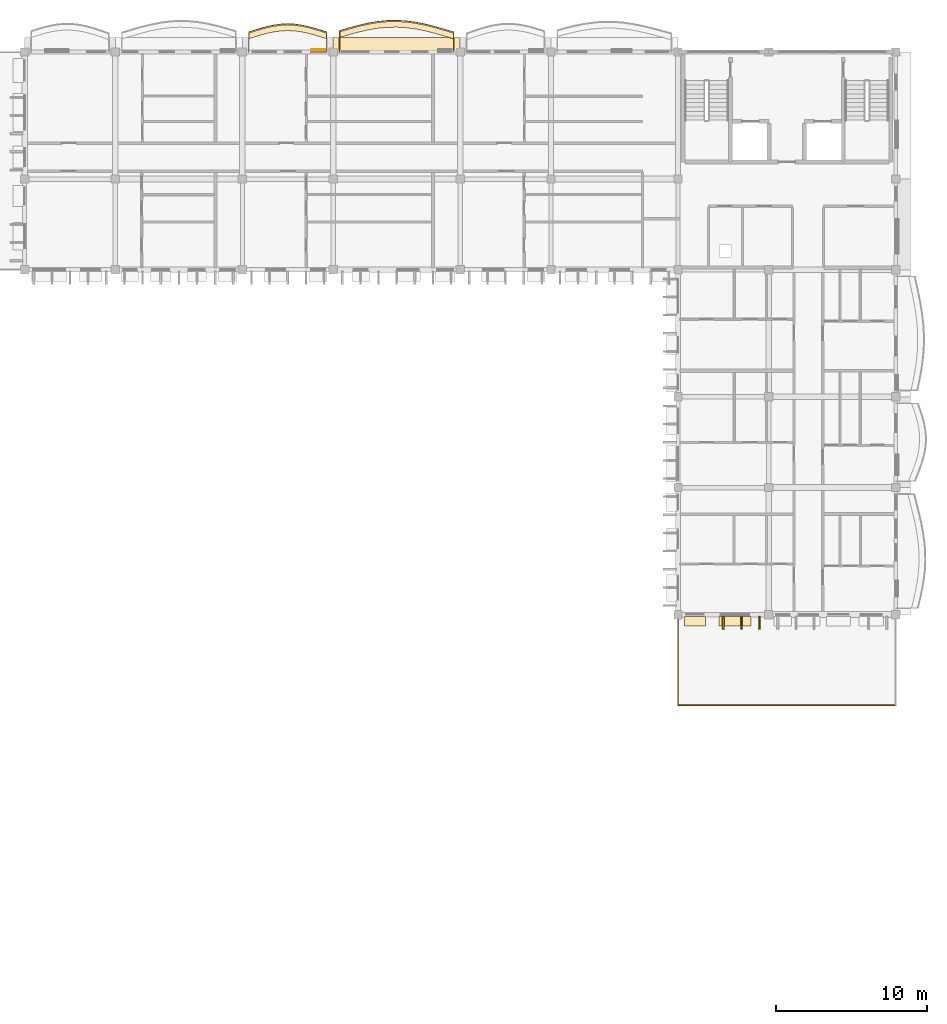
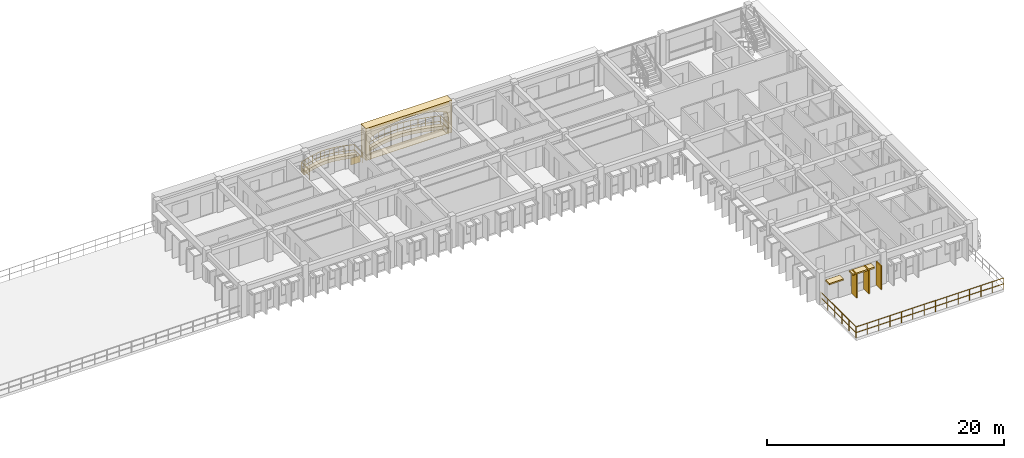
# One storey, part 41 of 45: 9 coverings, 4 railings.
"""IFC4 building model written with IfcOpenShell, lengths in metres."""

from ifc_helpers import new_model, si_unit, direction, frame, origin, origin_2d, place, context, subcontext, project, spatial, polyline, rectangle, outline, extrude, material, layer, layer_set, type_object, element, save


model = new_model("IFC4")

# Units and contexts
model_context = context("Model", 3, precision=1e-05, world=origin(), true_north=direction((0.0, 1.0)))
body_context = subcontext(model_context, "Body", "Model", "MODEL_VIEW")
ifc_project = project(units=[si_unit("LENGTHUNIT", "METRE"), si_unit("AREAUNIT", "SQUARE_METRE"), si_unit("VOLUMEUNIT", "CUBIC_METRE"), si_unit("PLANEANGLEUNIT", "RADIAN"), si_unit("MASSUNIT", "GRAM", prefix="KILO"), si_unit("THERMODYNAMICTEMPERATUREUNIT", "KELVIN")], contexts=[model_context])

# Site, building, storey
site_placement = place(None, origin())
site = spatial("IfcSite", under=ifc_project, at=site_placement, CompositionType="ELEMENT")
building_placement = place(site_placement, origin())
building = spatial("IfcBuilding", under=site, at=building_placement, Name="Thalorik Housing Commons", CompositionType="ELEMENT")
storey_placement = place(building_placement, frame((0.0, 0.0, 34.5)))
storey = spatial("IfcBuildingStorey", under=building, at=storey_placement, Name="L10", CompositionType="ELEMENT", Elevation=34.5)

# Coverings
ifc_material_1 = material(Name="Precast concrete C40/50", Category="concrete")
ifc_layer_1 = layer(ifc_material_1, 0.85009765625, Name="Precast concrete C40/50", Category="concrete")
ifc_layer_set_1 = layer_set([ifc_layer_1], Name="Precast concrete C40/50")
covering_type_1 = type_object("IfcCoveringType", Name="ARC-CLD-CUSH-850", PredefinedType="CLADDING", material=ifc_layer_set_1)
covering_1_placement = place(storey_placement, frame((133.800048828125, 124.137451171875, 0.0), z_axis=(0.0, 0.0, 1.0), x_axis=(-1.0, 0.0, 0.0)))
element("IfcCovering", 1, at=covering_1_placement, inside=storey, type_object=covering_type_1, Name="L10 White Precast Curved Cushion Bay Frame 3046", PredefinedType="CLADDING", context=body_context, shape_type="SweptSolid", body=[
    extrude(outline(polyline([(-4.199951171875, 0.0), (4.199951171875, 0.0), (4.199951171875, 3.300048828125), (-4.199951171875, 3.300048828125), (-4.199951171875, 0.0)]), holes=[polyline([(3.655029296875, 0.02490234375), (3.77001953125, 0.399169921875), (3.839111328125, 0.773193359375), (3.862060546875, 1.1474609375), (3.839111328125, 1.521728515625), (3.77001953125, 1.895751953125), (3.655029296875, 2.27001953125), (3.041748046875, 2.50439453125), (2.42822265625, 2.6884765625), (1.81494140625, 2.837646484375), (1.20166015625, 2.948486328125), (0.58837890625, 3.016845703125), (-0.02490234375, 3.0400390625), (-0.63818359375, 3.016845703125), (-1.251708984375, 2.948486328125), (-1.864990234375, 2.837646484375), (-2.478271484375, 2.6884765625), (-3.091796875, 2.50439453125), (-3.705078125, 2.27001953125), (-3.8095703125, 1.895751953125), (-3.872314453125, 1.521728515625), (-3.89306640625, 1.1474609375), (-3.872314453125, 0.773193359375), (-3.8095703125, 0.399169921875), (-3.705078125, 0.02490234375), (3.655029296875, 0.02490234375)])]), frame((0.0, 0.425048828125, 0.0), z_axis=(0.0, -1.0, 0.0), x_axis=(1.0, 0.0, 0.0)), (0.0, 0.0, 1.0), 0.85009765625),
])
ifc_layer_2 = layer(ifc_material_1, 0.85009765625, Name="Precast concrete C40/50", Category="concrete")
ifc_layer_set_2 = layer_set([ifc_layer_2], Name="Precast concrete C40/50")
covering_type_2 = type_object("IfcCoveringType", Name="ARC-CLD-FIN-850", PredefinedType="CLADDING", material=ifc_layer_set_2)
for number, where, z_axis, x_axis, name in (
    (2, (155.39990234375, 85.862548828125, 0.0400390625), (0.0, 0.0, 1.0), (1.0, 0.0, 0.0), "L10 Courtyard Precast Vertical Brise-Soleil Fin 3146"),
    (3, (156.60009765625, 85.862548828125, 0.0400390625), (0.0, 0.0, 1.0), (1.0, 0.0, 0.0), "L10 Courtyard Precast Vertical Brise-Soleil Fin 3147"),
    (4, (157.800048828125, 85.862548828125, 0.0400390625), (0.0, 0.0, 1.0), (1.0, 0.0, 0.0), "L10 Courtyard Precast Vertical Brise-Soleil Fin 3148"),
):
    element("IfcCovering", number, at=place(storey_placement, frame(where, z_axis=z_axis, x_axis=x_axis)), inside=storey, type_object=covering_type_2, Name=name, PredefinedType="CLADDING", context=body_context, shape_type="SweptSolid", body=[
        extrude(rectangle(XDim=0.110107421875, YDim=0.85009765625, at=origin_2d()), origin(), (0.0, 0.0, 1.0), 2.445068359375),
    ])
ifc_layer_3 = layer(ifc_material_1, 0.64990234375, Name="Precast concrete C40/50", Category="concrete")
ifc_layer_set_3 = layer_set([ifc_layer_3], Name="Precast concrete C40/50")
covering_type_3 = type_object("IfcCoveringType", Name="ARC-CLD-HOOD-650", PredefinedType="CLADDING", material=ifc_layer_set_3)
covering_2_placement = place(storey_placement, frame((153.514892578125, 85.96240234375, 2.16015625), z_axis=(0.0, 0.0, 1.0), x_axis=(1.0, 0.0, 0.0)))
element("IfcCovering", 5, at=covering_2_placement, inside=storey, type_object=covering_type_3, Name="L10 Courtyard Precast Window Sun-Hood 3149", PredefinedType="CLADDING", context=body_context, shape_type="SweptSolid", body=[
    extrude(rectangle(XDim=1.389892578125, YDim=0.64990234375, at=origin_2d()), origin(), (0.0, 0.0, 1.0), 0.139892578125),
])
covering_3_placement = place(storey_placement, frame((156.18505859375, 85.96240234375, 2.31005859375), z_axis=(0.0, 0.0, 1.0), x_axis=(1.0, 0.0, 0.0)))
element("IfcCovering", 6, at=covering_3_placement, inside=storey, type_object=covering_type_3, Name="L10 Courtyard Precast Window Sun-Hood 3150", PredefinedType="CLADDING", context=body_context, shape_type="SweptSolid", body=[
    extrude(rectangle(XDim=2.1201171875, YDim=0.64990234375, at=origin_2d()), origin(), (0.0, 0.0, 1.0), 0.139892578125),
])
ifc_material_2 = material(Name="Terracotta red mineral fibre-cement panel", Category="masonry")
ifc_layer_4 = layer(ifc_material_2, 0.054931640625, Name="Terracotta red mineral fibre-cement panel", Category="masonry")
ifc_layer_set_4 = layer_set([ifc_layer_4], Name="Terracotta red mineral fibre-cement panel")
covering_type_4 = type_object("IfcCoveringType", Name="ARC-CLD-RED-55", PredefinedType="CLADDING", material=ifc_layer_set_4)
covering_4_placement = place(storey_placement, frame((128.618896484375, 123.7451171875, 0.0498046875), z_axis=(0.0, 0.0, 1.0), x_axis=(-1.0, 0.0, 0.0)))
element("IfcCovering", 7, at=covering_4_placement, inside=storey, type_object=covering_type_4, Name="L10 De Stijl Recessed Window Spandrel 3049", PredefinedType="CLADDING", context=body_context, shape_type="SweptSolid", body=[
    extrude(rectangle(XDim=0.949951171875, YDim=0.054931640625, at=origin_2d()), origin(), (0.0, 0.0, 1.0), 0.699951171875),
])
ifc_material_3 = material(Name="Planted vegetated substrate and terracotta trough", Category="masonry")
ifc_layer_5 = layer(ifc_material_3, 0.340087890625, Name="Planted vegetated substrate and terracotta trough", Category="masonry")
ifc_layer_set_5 = layer_set([ifc_layer_5], Name="Planted vegetated substrate and terracotta trough")
covering_type_5 = type_object("IfcCoveringType", Name="ARC-COV-PLANTER", PredefinedType="USERDEFINED", material=ifc_layer_set_5)
covering_5_placement = place(storey_placement, origin())
element("IfcCovering", 8, at=covering_5_placement, inside=storey, type_object=covering_type_5, Name="L10 Balcony Slab-Edge Planted Trough 5542", ObjectType="PLANTER", PredefinedType="USERDEFINED", context=body_context, shape_type="SweptSolid", body=[
    extrude(outline(polyline([(129.179931640625, 124.847900390625), (128.75, 124.987060546875), (128.320068359375, 125.117919921875), (127.889892578125, 125.231201171875), (127.4599609375, 125.318359375), (127.030029296875, 125.373291015625), (126.60009765625, 125.39208984375), (126.169921875, 125.373291015625), (125.739990234375, 125.318359375), (125.31005859375, 125.231201171875), (124.8798828125, 125.117919921875), (124.449951171875, 124.987060546875), (124.02001953125, 124.847900390625), (124.02001953125, 124.4677734375), (124.449951171875, 124.60693359375), (124.8798828125, 124.738037109375), (125.31005859375, 124.85107421875), (125.739990234375, 124.938232421875), (126.169921875, 124.9931640625), (126.60009765625, 125.011962890625), (127.030029296875, 124.9931640625), (127.4599609375, 124.938232421875), (127.889892578125, 124.85107421875), (128.320068359375, 124.738037109375), (128.75, 124.60693359375), (129.179931640625, 124.4677734375), (129.179931640625, 124.847900390625)])), origin(), (0.0, 0.0, 1.0), 0.340087890625),
])
covering_6_placement = place(storey_placement, origin())
element("IfcCovering", 9, at=covering_6_placement, inside=storey, type_object=covering_type_5, Name="L10 Balcony Slab-Edge Planted Trough 5543", ObjectType="PLANTER", PredefinedType="USERDEFINED", context=body_context, shape_type="SweptSolid", body=[
    extrude(outline(polyline([(137.580078125, 124.844970703125), (136.949951171875, 125.0341796875), (136.320068359375, 125.21435546875), (135.68994140625, 125.372802734375), (135.06005859375, 125.4990234375), (134.429931640625, 125.58349609375), (133.800048828125, 125.620849609375), (133.169921875, 125.6083984375), (132.5400390625, 125.54638671875), (131.909912109375, 125.439697265625), (131.280029296875, 125.29541015625), (130.64990234375, 125.12353515625), (130.02001953125, 124.935791015625), (130.02001953125, 124.555908203125), (130.64990234375, 124.743408203125), (131.280029296875, 124.91552734375), (131.909912109375, 125.059814453125), (132.5400390625, 125.16650390625), (133.169921875, 125.228271484375), (133.800048828125, 125.240966796875), (134.429931640625, 125.20361328125), (135.06005859375, 125.118896484375), (135.68994140625, 124.992919921875), (136.320068359375, 124.834228515625), (136.949951171875, 124.654296875), (137.580078125, 124.465087890625), (137.580078125, 124.844970703125)])), origin(), (0.0, 0.0, 1.0), 0.340087890625),
])

# Railings
ifc_material_4 = material(Name="Steel S355", Category="steel")
railing_type_1 = type_object("IfcRailingType", Name="ARC-RL-BAL-112", PredefinedType="BALUSTRADE", material=ifc_material_4)
railing_1_placement = place(storey_placement, frame((129.179931640625, 123.60009765625, 0.0)))
element("IfcRailing", 10, at=railing_1_placement, inside=storey, type_object=railing_type_1, Name="L10 Cushion Balcony Guardrail 226", PredefinedType="BALUSTRADE", context=body_context, shape_type="SweptSolid", body=[
    extrude(rectangle(XDim=0.050048828125, YDim=0.050048828125, at=origin_2d()), frame((0.0, 0.0, 1.09521484375), z_axis=(0.0, 1.0, 0.0), x_axis=(-1.0, 0.0, 0.0)), (0.0, 0.0, 1.0), 1.317626953125),
    extrude(rectangle(XDim=0.050048828125, YDim=0.050048828125, at=origin_2d()), frame((0.0, 0.0, 0.53515625), z_axis=(0.0, 1.0, 0.0), x_axis=(-1.0, 0.0, 0.0)), (0.0, 0.0, 1.0), 1.317626953125),
    extrude(rectangle(XDim=0.050048828125, YDim=0.050048828125, at=origin_2d()), frame((0.0, 1.317626953125, 1.09521484375), z_axis=(-0.951402625637, 0.30794974254, 0.0), x_axis=(-0.30794974254, -0.951402625637, 0.0)), (0.0, 0.0, 1.0), 0.451904296875),
    extrude(rectangle(XDim=0.050048828125, YDim=0.050048828125, at=origin_2d()), frame((0.0, 1.317626953125, 0.53515625), z_axis=(-0.951402625637, 0.30794974254, 0.0), x_axis=(-0.30794974254, -0.951402625637, 0.0)), (0.0, 0.0, 1.0), 0.451904296875),
    extrude(rectangle(XDim=0.050048828125, YDim=0.050048828125, at=origin_2d()), frame((-0.429931640625, 1.456787109375, 1.09521484375), z_axis=(-0.956515864466, 0.2916803062, 0.0), x_axis=(-0.2916803062, -0.956515864466, 0.0)), (0.0, 0.0, 1.0), 0.449462890625),
    extrude(rectangle(XDim=0.050048828125, YDim=0.050048828125, at=origin_2d()), frame((-0.429931640625, 1.456787109375, 0.53515625), z_axis=(-0.956515864466, 0.2916803062, 0.0), x_axis=(-0.2916803062, -0.956515864466, 0.0)), (0.0, 0.0, 1.0), 0.449462890625),
    extrude(rectangle(XDim=0.050048828125, YDim=0.050048828125, at=origin_2d()), frame((-0.85986328125, 1.587890625, 1.09521484375), z_axis=(-0.967166905312, 0.254142041521, 0.0), x_axis=(-0.254142041521, -0.967166905312, 0.0)), (0.0, 0.0, 1.0), 0.44482421875),
    extrude(rectangle(XDim=0.050048828125, YDim=0.050048828125, at=origin_2d()), frame((-0.85986328125, 1.587890625, 0.53515625), z_axis=(-0.967166905312, 0.254142041521, 0.0), x_axis=(-0.254142041521, -0.967166905312, 0.0)), (0.0, 0.0, 1.0), 0.44482421875),
    extrude(rectangle(XDim=0.050048828125, YDim=0.050048828125, at=origin_2d()), frame((-1.2900390625, 1.700927734375, 1.09521484375), z_axis=(-0.980063583933, 0.198684099639, 0.0), x_axis=(-0.198684099639, -0.980063583933, 0.0)), (0.0, 0.0, 1.0), 0.438720703125),
    extrude(rectangle(XDim=0.050048828125, YDim=0.050048828125, at=origin_2d()), frame((-1.2900390625, 1.700927734375, 0.53515625), z_axis=(-0.980063583933, 0.198684099639, 0.0), x_axis=(-0.198684099639, -0.980063583933, 0.0)), (0.0, 0.0, 1.0), 0.438720703125),
    extrude(rectangle(XDim=0.050048828125, YDim=0.050048828125, at=origin_2d()), frame((-1.719970703125, 1.7880859375, 1.09521484375), z_axis=(-0.991936225096, 0.126738018539, 0.0), x_axis=(-0.126738018539, -0.991936225096, 0.0)), (0.0, 0.0, 1.0), 0.433349609375),
    extrude(rectangle(XDim=0.050048828125, YDim=0.050048828125, at=origin_2d()), frame((-1.719970703125, 1.7880859375, 0.53515625), z_axis=(-0.991936225096, 0.126738018539, 0.0), x_axis=(-0.126738018539, -0.991936225096, 0.0)), (0.0, 0.0, 1.0), 0.433349609375),
    extrude(rectangle(XDim=0.050048828125, YDim=0.050048828125, at=origin_2d()), frame((-2.14990234375, 1.843017578125, 1.09521484375), z_axis=(-0.999045423924, 0.043683417173, 0.0), x_axis=(-0.043683417173, -0.999045423924, 0.0)), (0.0, 0.0, 1.0), 0.430419921875),
    extrude(rectangle(XDim=0.050048828125, YDim=0.050048828125, at=origin_2d()), frame((-2.14990234375, 1.843017578125, 0.53515625), z_axis=(-0.999045423924, 0.043683417173, 0.0), x_axis=(-0.043683417173, -0.999045423924, 0.0)), (0.0, 0.0, 1.0), 0.430419921875),
    extrude(rectangle(XDim=0.050048828125, YDim=0.050048828125, at=origin_2d()), frame((-2.579833984375, 1.86181640625, 1.09521484375), z_axis=(-0.999046505582, -0.043658672491, 0.0), x_axis=(0.043658672491, -0.999046505582, 0.0)), (0.0, 0.0, 1.0), 0.4306640625),
    extrude(rectangle(XDim=0.050048828125, YDim=0.050048828125, at=origin_2d()), frame((-2.579833984375, 1.86181640625, 0.53515625), z_axis=(-0.999046505582, -0.043658672491, 0.0), x_axis=(0.043658672491, -0.999046505582, 0.0)), (0.0, 0.0, 1.0), 0.4306640625),
    extrude(rectangle(XDim=0.050048828125, YDim=0.050048828125, at=origin_2d()), frame((-3.010009765625, 1.843017578125, 1.09521484375), z_axis=(-0.991936225096, -0.126738018539, 0.0), x_axis=(0.126738018539, -0.991936225096, 0.0)), (0.0, 0.0, 1.0), 0.433349609375),
    extrude(rectangle(XDim=0.050048828125, YDim=0.050048828125, at=origin_2d()), frame((-3.010009765625, 1.843017578125, 0.53515625), z_axis=(-0.991936225096, -0.126738018539, 0.0), x_axis=(0.126738018539, -0.991936225096, 0.0)), (0.0, 0.0, 1.0), 0.433349609375),
    extrude(rectangle(XDim=0.050048828125, YDim=0.050048828125, at=origin_2d()), frame((-3.43994140625, 1.7880859375, 1.09521484375), z_axis=(-0.980063583933, -0.198684099639, 0.0), x_axis=(0.198684099639, -0.980063583933, 0.0)), (0.0, 0.0, 1.0), 0.438720703125),
    extrude(rectangle(XDim=0.050048828125, YDim=0.050048828125, at=origin_2d()), frame((-3.43994140625, 1.7880859375, 0.53515625), z_axis=(-0.980063583933, -0.198684099639, 0.0), x_axis=(0.198684099639, -0.980063583933, 0.0)), (0.0, 0.0, 1.0), 0.438720703125),
    extrude(rectangle(XDim=0.050048828125, YDim=0.050048828125, at=origin_2d()), frame((-3.869873046875, 1.700927734375, 1.09521484375), z_axis=(-0.967166905312, -0.254142041521, 0.0), x_axis=(0.254142041521, -0.967166905312, 0.0)), (0.0, 0.0, 1.0), 0.44482421875),
    extrude(rectangle(XDim=0.050048828125, YDim=0.050048828125, at=origin_2d()), frame((-3.869873046875, 1.700927734375, 0.53515625), z_axis=(-0.967166905312, -0.254142041521, 0.0), x_axis=(0.254142041521, -0.967166905312, 0.0)), (0.0, 0.0, 1.0), 0.44482421875),
    extrude(rectangle(XDim=0.050048828125, YDim=0.050048828125, at=origin_2d()), frame((-4.300048828125, 1.587890625, 1.09521484375), z_axis=(-0.956515864466, -0.2916803062, 0.0), x_axis=(0.2916803062, -0.956515864466, 0.0)), (0.0, 0.0, 1.0), 0.449462890625),
    extrude(rectangle(XDim=0.050048828125, YDim=0.050048828125, at=origin_2d()), frame((-4.300048828125, 1.587890625, 0.53515625), z_axis=(-0.956515864466, -0.2916803062, 0.0), x_axis=(0.2916803062, -0.956515864466, 0.0)), (0.0, 0.0, 1.0), 0.449462890625),
    extrude(rectangle(XDim=0.050048828125, YDim=0.050048828125, at=origin_2d()), frame((-4.72998046875, 1.456787109375, 1.09521484375), z_axis=(-0.951402625637, -0.30794974254, 0.0), x_axis=(0.30794974254, -0.951402625637, 0.0)), (0.0, 0.0, 1.0), 0.451904296875),
    extrude(rectangle(XDim=0.050048828125, YDim=0.050048828125, at=origin_2d()), frame((-4.72998046875, 1.456787109375, 0.53515625), z_axis=(-0.951402625637, -0.30794974254, 0.0), x_axis=(0.30794974254, -0.951402625637, 0.0)), (0.0, 0.0, 1.0), 0.451904296875),
    extrude(rectangle(XDim=0.050048828125, YDim=0.050048828125, at=origin_2d()), frame((-5.159912109375, 1.317626953125, 1.09521484375), z_axis=(0.0, -1.0, 0.0), x_axis=(1.0, 0.0, 0.0)), (0.0, 0.0, 1.0), 1.317626953125),
    extrude(rectangle(XDim=0.050048828125, YDim=0.050048828125, at=origin_2d()), frame((-5.159912109375, 1.317626953125, 0.53515625), z_axis=(0.0, -1.0, 0.0), x_axis=(1.0, 0.0, 0.0)), (0.0, 0.0, 1.0), 1.317626953125),
    extrude(rectangle(XDim=0.0419921875, YDim=0.0419921875, at=origin_2d()), origin(), (0.0, 0.0, 1.0), 1.070068359375),
    extrude(rectangle(XDim=0.0419921875, YDim=0.0419921875, at=origin_2d()), frame((0.0, 1.317626953125, 0.0)), (0.0, 0.0, 1.0), 1.070068359375),
    extrude(rectangle(XDim=0.0419921875, YDim=0.0419921875, at=origin_2d()), frame((-0.429931640625, 1.456787109375, 0.0)), (0.0, 0.0, 1.0), 1.070068359375),
    extrude(rectangle(XDim=0.0419921875, YDim=0.0419921875, at=origin_2d()), frame((-0.85986328125, 1.587890625, 0.0)), (0.0, 0.0, 1.0), 1.070068359375),
    extrude(rectangle(XDim=0.0419921875, YDim=0.0419921875, at=origin_2d()), frame((-1.2900390625, 1.700927734375, 0.0)), (0.0, 0.0, 1.0), 1.070068359375),
    extrude(rectangle(XDim=0.0419921875, YDim=0.0419921875, at=origin_2d()), frame((-1.719970703125, 1.7880859375, 0.0)), (0.0, 0.0, 1.0), 1.070068359375),
    extrude(rectangle(XDim=0.0419921875, YDim=0.0419921875, at=origin_2d()), frame((-2.14990234375, 1.843017578125, 0.0)), (0.0, 0.0, 1.0), 1.070068359375),
    extrude(rectangle(XDim=0.0419921875, YDim=0.0419921875, at=origin_2d()), frame((-2.579833984375, 1.86181640625, 0.0)), (0.0, 0.0, 1.0), 1.070068359375),
    extrude(rectangle(XDim=0.0419921875, YDim=0.0419921875, at=origin_2d()), frame((-3.010009765625, 1.843017578125, 0.0)), (0.0, 0.0, 1.0), 1.070068359375),
    extrude(rectangle(XDim=0.0419921875, YDim=0.0419921875, at=origin_2d()), frame((-3.43994140625, 1.7880859375, 0.0)), (0.0, 0.0, 1.0), 1.070068359375),
    extrude(rectangle(XDim=0.0419921875, YDim=0.0419921875, at=origin_2d()), frame((-3.869873046875, 1.700927734375, 0.0)), (0.0, 0.0, 1.0), 1.070068359375),
    extrude(rectangle(XDim=0.0419921875, YDim=0.0419921875, at=origin_2d()), frame((-4.300048828125, 1.587890625, 0.0)), (0.0, 0.0, 1.0), 1.070068359375),
    extrude(rectangle(XDim=0.0419921875, YDim=0.0419921875, at=origin_2d()), frame((-4.72998046875, 1.456787109375, 0.0)), (0.0, 0.0, 1.0), 1.070068359375),
    extrude(rectangle(XDim=0.0419921875, YDim=0.0419921875, at=origin_2d()), frame((-5.159912109375, 1.317626953125, 0.0)), (0.0, 0.0, 1.0), 1.070068359375),
    extrude(rectangle(XDim=0.0419921875, YDim=0.0419921875, at=origin_2d()), frame((-5.159912109375, 0.0, 0.0)), (0.0, 0.0, 1.0), 1.070068359375),
])
railing_type_2 = type_object("IfcRailingType", Name="ARC-RL-BAL-115", PredefinedType="BALUSTRADE", material=ifc_material_4)
railing_2_placement = place(storey_placement, frame((137.580078125, 123.60009765625, 0.0)))
element("IfcRailing", 11, at=railing_2_placement, inside=storey, type_object=railing_type_2, Name="L10 Cushion Balcony Guardrail 227", PredefinedType="BALUSTRADE", context=body_context, shape_type="SweptSolid", body=[
    extrude(rectangle(XDim=0.050048828125, YDim=0.050048828125, at=origin_2d()), frame((0.0, 0.0, 1.125), z_axis=(0.0, 1.0, 0.0), x_axis=(-1.0, 0.0, 0.0)), (0.0, 0.0, 1.0), 1.31494140625),
    extrude(rectangle(XDim=0.050048828125, YDim=0.050048828125, at=origin_2d()), frame((0.0, 0.0, 0.5498046875), z_axis=(0.0, 1.0, 0.0), x_axis=(-1.0, 0.0, 0.0)), (0.0, 0.0, 1.0), 1.31494140625),
    extrude(rectangle(XDim=0.050048828125, YDim=0.050048828125, at=origin_2d()), frame((0.0, 1.31494140625, 1.125), z_axis=(-0.957754763301, 0.287586184254, 0.0), x_axis=(-0.287586184254, -0.957754763301, 0.0)), (0.0, 0.0, 1.0), 0.657958984375),
    extrude(rectangle(XDim=0.050048828125, YDim=0.050048828125, at=origin_2d()), frame((0.0, 1.31494140625, 0.5498046875), z_axis=(-0.957754763301, 0.287586184254, 0.0), x_axis=(-0.287586184254, -0.957754763301, 0.0)), (0.0, 0.0, 1.0), 0.657958984375),
    extrude(rectangle(XDim=0.050048828125, YDim=0.050048828125, at=origin_2d()), frame((-0.630126953125, 1.504150390625, 1.125), z_axis=(-0.961538010122, 0.274671904442, 0.0), x_axis=(-0.274671904442, -0.961538010122, 0.0)), (0.0, 0.0, 1.0), 0.655029296875),
    extrude(rectangle(XDim=0.050048828125, YDim=0.050048828125, at=origin_2d()), frame((-0.630126953125, 1.504150390625, 0.5498046875), z_axis=(-0.961538010122, 0.274671904442, 0.0), x_axis=(-0.274671904442, -0.961538010122, 0.0)), (0.0, 0.0, 1.0), 0.655029296875),
    extrude(rectangle(XDim=0.050048828125, YDim=0.050048828125, at=origin_2d()), frame((-1.260009765625, 1.68408203125, 1.125), z_axis=(-0.969721129013, 0.244214929817, 0.0), x_axis=(-0.244214929817, -0.969721129013, 0.0)), (0.0, 0.0, 1.0), 0.64990234375),
    extrude(rectangle(XDim=0.050048828125, YDim=0.050048828125, at=origin_2d()), frame((-1.260009765625, 1.68408203125, 0.5498046875), z_axis=(-0.969721129013, 0.244214929817, 0.0), x_axis=(-0.244214929817, -0.969721129013, 0.0)), (0.0, 0.0, 1.0), 0.64990234375),
    extrude(rectangle(XDim=0.050048828125, YDim=0.050048828125, at=origin_2d()), frame((-1.89013671875, 1.8427734375, 1.125), z_axis=(-0.980507522663, 0.196481546208, 0.0), x_axis=(-0.196481546208, -0.980507522663, 0.0)), (0.0, 0.0, 1.0), 0.642333984375),
    extrude(rectangle(XDim=0.050048828125, YDim=0.050048828125, at=origin_2d()), frame((-1.89013671875, 1.8427734375, 0.5498046875), z_axis=(-0.980507522663, 0.196481546208, 0.0), x_axis=(-0.196481546208, -0.980507522663, 0.0)), (0.0, 0.0, 1.0), 0.642333984375),
    extrude(rectangle(XDim=0.050048828125, YDim=0.050048828125, at=origin_2d()), frame((-2.52001953125, 1.968994140625, 1.125), z_axis=(-0.99113374372, 0.132867987341, 0.0), x_axis=(-0.132867987341, -0.99113374372, 0.0)), (0.0, 0.0, 1.0), 0.6357421875),
    extrude(rectangle(XDim=0.050048828125, YDim=0.050048828125, at=origin_2d()), frame((-2.52001953125, 1.968994140625, 0.5498046875), z_axis=(-0.99113374372, 0.132867987341, 0.0), x_axis=(-0.132867987341, -0.99113374372, 0.0)), (0.0, 0.0, 1.0), 0.6357421875),
    extrude(rectangle(XDim=0.050048828125, YDim=0.050048828125, at=origin_2d()), frame((-3.150146484375, 2.053466796875, 1.125), z_axis=(-0.998246241406, 0.059198323618, 0.0), x_axis=(-0.059198323618, -0.998246241406, 0.0)), (0.0, 0.0, 1.0), 0.631103515625),
    extrude(rectangle(XDim=0.050048828125, YDim=0.050048828125, at=origin_2d()), frame((-3.150146484375, 2.053466796875, 0.5498046875), z_axis=(-0.998246241406, 0.059198323618, 0.0), x_axis=(-0.059198323618, -0.998246241406, 0.0)), (0.0, 0.0, 1.0), 0.631103515625),
    extrude(rectangle(XDim=0.050048828125, YDim=0.050048828125, at=origin_2d()), frame((-3.780029296875, 2.0908203125, 1.125), z_axis=(-0.999797106332, -0.020143142011, 0.0), x_axis=(0.020143142011, -0.999797106332, 0.0)), (0.0, 0.0, 1.0), 0.63037109375),
    extrude(rectangle(XDim=0.050048828125, YDim=0.050048828125, at=origin_2d()), frame((-3.780029296875, 2.0908203125, 0.5498046875), z_axis=(-0.999797106332, -0.020143142011, 0.0), x_axis=(0.020143142011, -0.999797106332, 0.0)), (0.0, 0.0, 1.0), 0.63037109375),
    extrude(rectangle(XDim=0.050048828125, YDim=0.050048828125, at=origin_2d()), frame((-4.41015625, 2.078125, 1.125), z_axis=(-0.995226321439, -0.097593898963, 0.0), x_axis=(0.097593898963, -0.995226321439, 0.0)), (0.0, 0.0, 1.0), 0.6328125),
    extrude(rectangle(XDim=0.050048828125, YDim=0.050048828125, at=origin_2d()), frame((-4.41015625, 2.078125, 0.5498046875), z_axis=(-0.995226321439, -0.097593898963, 0.0), x_axis=(0.097593898963, -0.995226321439, 0.0)), (0.0, 0.0, 1.0), 0.6328125),
    extrude(rectangle(XDim=0.050048828125, YDim=0.050048828125, at=origin_2d()), frame((-5.0400390625, 2.016357421875, 1.125), z_axis=(-0.98596734574, -0.166938291394, 0.0), x_axis=(0.166938291394, -0.98596734574, 0.0)), (0.0, 0.0, 1.0), 0.63916015625),
    extrude(rectangle(XDim=0.050048828125, YDim=0.050048828125, at=origin_2d()), frame((-5.0400390625, 2.016357421875, 0.5498046875), z_axis=(-0.98596734574, -0.166938291394, 0.0), x_axis=(0.166938291394, -0.98596734574, 0.0)), (0.0, 0.0, 1.0), 0.63916015625),
    extrude(rectangle(XDim=0.050048828125, YDim=0.050048828125, at=origin_2d()), frame((-5.670166015625, 1.90966796875, 1.125), z_axis=(-0.97475287979, -0.223286415487, 0.0), x_axis=(0.223286415487, -0.97475287979, 0.0)), (0.0, 0.0, 1.0), 0.646240234375),
    extrude(rectangle(XDim=0.050048828125, YDim=0.050048828125, at=origin_2d()), frame((-5.670166015625, 1.90966796875, 0.5498046875), z_axis=(-0.97475287979, -0.223286415487, 0.0), x_axis=(0.223286415487, -0.97475287979, 0.0)), (0.0, 0.0, 1.0), 0.646240234375),
    extrude(rectangle(XDim=0.050048828125, YDim=0.050048828125, at=origin_2d()), frame((-6.300048828125, 1.765380859375, 1.125), z_axis=(-0.964755194768, -0.26314903414, 0.0), x_axis=(0.26314903414, -0.964755194768, 0.0)), (0.0, 0.0, 1.0), 0.653076171875),
    extrude(rectangle(XDim=0.050048828125, YDim=0.050048828125, at=origin_2d()), frame((-6.300048828125, 1.765380859375, 0.5498046875), z_axis=(-0.964755194768, -0.26314903414, 0.0), x_axis=(0.26314903414, -0.964755194768, 0.0)), (0.0, 0.0, 1.0), 0.653076171875),
    extrude(rectangle(XDim=0.050048828125, YDim=0.050048828125, at=origin_2d()), frame((-6.93017578125, 1.593505859375, 1.125), z_axis=(-0.958335936708, -0.285643540825, 0.0), x_axis=(0.285643540825, -0.958335936708, 0.0)), (0.0, 0.0, 1.0), 0.6572265625),
    extrude(rectangle(XDim=0.050048828125, YDim=0.050048828125, at=origin_2d()), frame((-6.93017578125, 1.593505859375, 0.5498046875), z_axis=(-0.958335936708, -0.285643540825, 0.0), x_axis=(0.285643540825, -0.958335936708, 0.0)), (0.0, 0.0, 1.0), 0.6572265625),
    extrude(rectangle(XDim=0.050048828125, YDim=0.050048828125, at=origin_2d()), frame((-7.56005859375, 1.40576171875, 1.125), z_axis=(0.0, -1.0, 0.0), x_axis=(1.0, 0.0, 0.0)), (0.0, 0.0, 1.0), 1.40576171875),
    extrude(rectangle(XDim=0.050048828125, YDim=0.050048828125, at=origin_2d()), frame((-7.56005859375, 1.40576171875, 0.5498046875), z_axis=(0.0, -1.0, 0.0), x_axis=(1.0, 0.0, 0.0)), (0.0, 0.0, 1.0), 1.40576171875),
    extrude(rectangle(XDim=0.0419921875, YDim=0.0419921875, at=origin_2d()), origin(), (0.0, 0.0, 1.0), 1.099853515625),
    extrude(rectangle(XDim=0.0419921875, YDim=0.0419921875, at=origin_2d()), frame((0.0, 1.31494140625, 0.0)), (0.0, 0.0, 1.0), 1.099853515625),
    extrude(rectangle(XDim=0.0419921875, YDim=0.0419921875, at=origin_2d()), frame((-0.630126953125, 1.504150390625, 0.0)), (0.0, 0.0, 1.0), 1.099853515625),
    extrude(rectangle(XDim=0.0419921875, YDim=0.0419921875, at=origin_2d()), frame((-1.260009765625, 1.68408203125, 0.0)), (0.0, 0.0, 1.0), 1.099853515625),
    extrude(rectangle(XDim=0.0419921875, YDim=0.0419921875, at=origin_2d()), frame((-1.89013671875, 1.8427734375, 0.0)), (0.0, 0.0, 1.0), 1.099853515625),
    extrude(rectangle(XDim=0.0419921875, YDim=0.0419921875, at=origin_2d()), frame((-2.52001953125, 1.968994140625, 0.0)), (0.0, 0.0, 1.0), 1.099853515625),
    extrude(rectangle(XDim=0.0419921875, YDim=0.0419921875, at=origin_2d()), frame((-3.150146484375, 2.053466796875, 0.0)), (0.0, 0.0, 1.0), 1.099853515625),
    extrude(rectangle(XDim=0.0419921875, YDim=0.0419921875, at=origin_2d()), frame((-3.780029296875, 2.0908203125, 0.0)), (0.0, 0.0, 1.0), 1.099853515625),
    extrude(rectangle(XDim=0.0419921875, YDim=0.0419921875, at=origin_2d()), frame((-4.41015625, 2.078125, 0.0)), (0.0, 0.0, 1.0), 1.099853515625),
    extrude(rectangle(XDim=0.0419921875, YDim=0.0419921875, at=origin_2d()), frame((-5.0400390625, 2.016357421875, 0.0)), (0.0, 0.0, 1.0), 1.099853515625),
    extrude(rectangle(XDim=0.0419921875, YDim=0.0419921875, at=origin_2d()), frame((-5.670166015625, 1.90966796875, 0.0)), (0.0, 0.0, 1.0), 1.099853515625),
    extrude(rectangle(XDim=0.0419921875, YDim=0.0419921875, at=origin_2d()), frame((-6.300048828125, 1.765380859375, 0.0)), (0.0, 0.0, 1.0), 1.099853515625),
    extrude(rectangle(XDim=0.0419921875, YDim=0.0419921875, at=origin_2d()), frame((-6.93017578125, 1.593505859375, 0.0)), (0.0, 0.0, 1.0), 1.099853515625),
    extrude(rectangle(XDim=0.0419921875, YDim=0.0419921875, at=origin_2d()), frame((-7.56005859375, 1.40576171875, 0.0)), (0.0, 0.0, 1.0), 1.099853515625),
    extrude(rectangle(XDim=0.0419921875, YDim=0.0419921875, at=origin_2d()), frame((-7.56005859375, 0.0, 0.0)), (0.0, 0.0, 1.0), 1.099853515625),
])
railing_type_3 = type_object("IfcRailingType", Name="ARC-RL-TER-118", PredefinedType="GUARDRAIL", material=ifc_material_4)
railing_3_placement = place(storey_placement, frame((152.39990234375, 80.39990234375, 0.0)))
element("IfcRailing", 12, at=railing_3_placement, inside=storey, type_object=railing_type_3, Name="L10 L10 South Roof Terrace Edge Guardrail", PredefinedType="GUARDRAIL", context=body_context, shape_type="SweptSolid", body=[
    extrude(rectangle(XDim=0.048095703125, YDim=0.048095703125, at=origin_2d()), frame((0.0, 0.0, 1.15576171875), z_axis=(1.0, 0.0, 0.0), x_axis=(0.0, 1.0, 0.0)), (0.0, 0.0, 1.0), 14.400146484375),
    extrude(rectangle(XDim=0.048095703125, YDim=0.048095703125, at=origin_2d()), frame((0.0, 0.0, 0.56591796875), z_axis=(1.0, 0.0, 0.0), x_axis=(0.0, 1.0, 0.0)), (0.0, 0.0, 1.0), 14.400146484375),
    extrude(rectangle(XDim=0.0419921875, YDim=0.0419921875, at=origin_2d()), origin(), (0.0, 0.0, 1.0), 1.1318359375),
    extrude(rectangle(XDim=0.0419921875, YDim=0.0419921875, at=origin_2d()), frame((1.107666015625, 0.0, 0.0)), (0.0, 0.0, 1.0), 1.1318359375),
    extrude(rectangle(XDim=0.0419921875, YDim=0.0419921875, at=origin_2d()), frame((2.21533203125, 0.0, 0.0)), (0.0, 0.0, 1.0), 1.1318359375),
    extrude(rectangle(XDim=0.0419921875, YDim=0.0419921875, at=origin_2d()), frame((3.322998046875, 0.0, 0.0)), (0.0, 0.0, 1.0), 1.1318359375),
    extrude(rectangle(XDim=0.0419921875, YDim=0.0419921875, at=origin_2d()), frame((4.430908203125, 0.0, 0.0)), (0.0, 0.0, 1.0), 1.1318359375),
    extrude(rectangle(XDim=0.0419921875, YDim=0.0419921875, at=origin_2d()), frame((5.53857421875, 0.0, 0.0)), (0.0, 0.0, 1.0), 1.1318359375),
    extrude(rectangle(XDim=0.0419921875, YDim=0.0419921875, at=origin_2d()), frame((6.646240234375, 0.0, 0.0)), (0.0, 0.0, 1.0), 1.1318359375),
    extrude(rectangle(XDim=0.0419921875, YDim=0.0419921875, at=origin_2d()), frame((7.75390625, 0.0, 0.0)), (0.0, 0.0, 1.0), 1.1318359375),
    extrude(rectangle(XDim=0.0419921875, YDim=0.0419921875, at=origin_2d()), frame((8.861572265625, 0.0, 0.0)), (0.0, 0.0, 1.0), 1.1318359375),
    extrude(rectangle(XDim=0.0419921875, YDim=0.0419921875, at=origin_2d()), frame((9.96923828125, 0.0, 0.0)), (0.0, 0.0, 1.0), 1.1318359375),
    extrude(rectangle(XDim=0.0419921875, YDim=0.0419921875, at=origin_2d()), frame((11.0771484375, 0.0, 0.0)), (0.0, 0.0, 1.0), 1.1318359375),
    extrude(rectangle(XDim=0.0419921875, YDim=0.0419921875, at=origin_2d()), frame((12.184814453125, 0.0, 0.0)), (0.0, 0.0, 1.0), 1.1318359375),
    extrude(rectangle(XDim=0.0419921875, YDim=0.0419921875, at=origin_2d()), frame((13.29248046875, 0.0, 0.0)), (0.0, 0.0, 1.0), 1.1318359375),
    extrude(rectangle(XDim=0.0419921875, YDim=0.0419921875, at=origin_2d()), frame((14.400146484375, 0.0, 0.0)), (0.0, 0.0, 1.0), 1.1318359375),
])
railing_4_placement = place(storey_placement, frame((152.39990234375, 86.35009765625, 0.0)))
element("IfcRailing", 13, at=railing_4_placement, inside=storey, type_object=railing_type_3, Name="L10 L10 South Roof Terrace Edge Guardrail", PredefinedType="GUARDRAIL", context=body_context, shape_type="SweptSolid", body=[
    extrude(rectangle(XDim=0.048095703125, YDim=0.048095703125, at=origin_2d()), frame((0.0, 0.0, 1.15576171875), z_axis=(0.0, -1.0, 0.0), x_axis=(1.0, 0.0, 0.0)), (0.0, 0.0, 1.0), 5.9501953125),
    extrude(rectangle(XDim=0.048095703125, YDim=0.048095703125, at=origin_2d()), frame((0.0, 0.0, 0.56591796875), z_axis=(0.0, -1.0, 0.0), x_axis=(1.0, 0.0, 0.0)), (0.0, 0.0, 1.0), 5.9501953125),
    extrude(rectangle(XDim=0.0419921875, YDim=0.0419921875, at=origin_2d()), origin(), (0.0, 0.0, 1.0), 1.1318359375),
    extrude(rectangle(XDim=0.0419921875, YDim=0.0419921875, at=origin_2d()), frame((0.0, -1.18994140625, 0.0)), (0.0, 0.0, 1.0), 1.1318359375),
    extrude(rectangle(XDim=0.0419921875, YDim=0.0419921875, at=origin_2d()), frame((0.0, -2.380126953125, 0.0)), (0.0, 0.0, 1.0), 1.1318359375),
    extrude(rectangle(XDim=0.0419921875, YDim=0.0419921875, at=origin_2d()), frame((0.0, -3.570068359375, 0.0)), (0.0, 0.0, 1.0), 1.1318359375),
    extrude(rectangle(XDim=0.0419921875, YDim=0.0419921875, at=origin_2d()), frame((0.0, -4.76025390625, 0.0)), (0.0, 0.0, 1.0), 1.1318359375),
    extrude(rectangle(XDim=0.0419921875, YDim=0.0419921875, at=origin_2d()), frame((0.0, -5.9501953125, 0.0)), (0.0, 0.0, 1.0), 1.1318359375),
])

save(model, "model.ifc")
